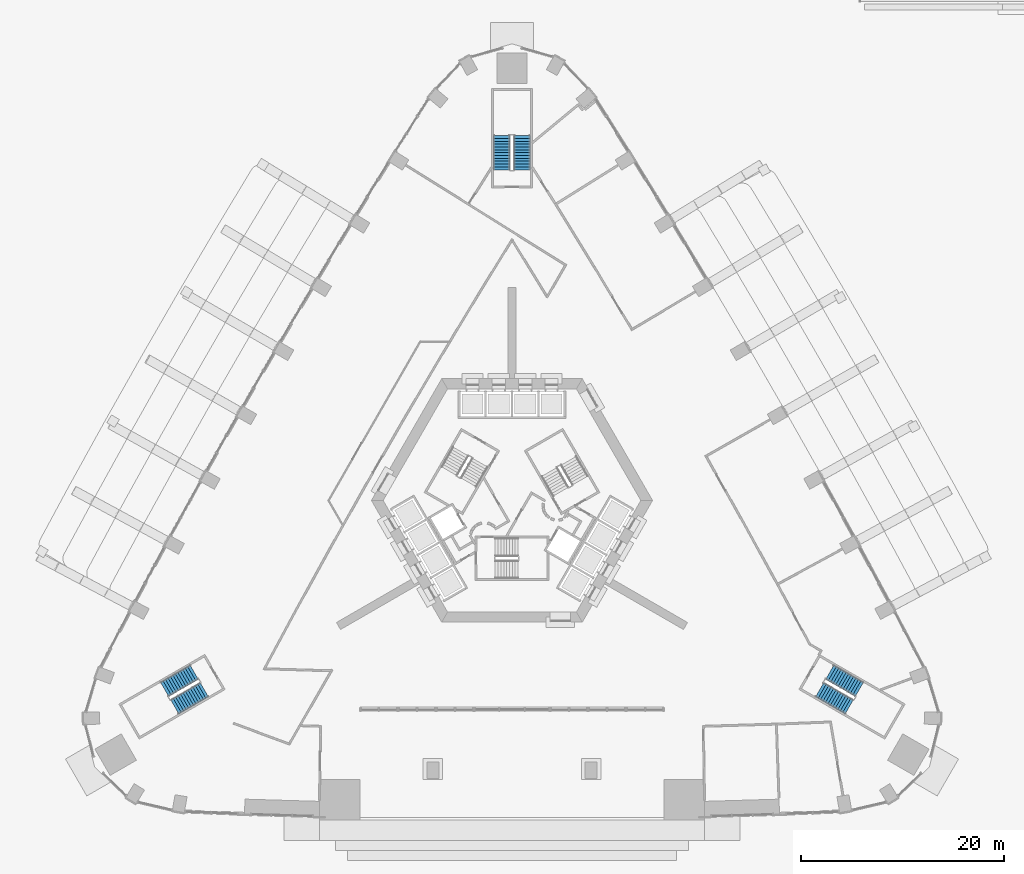
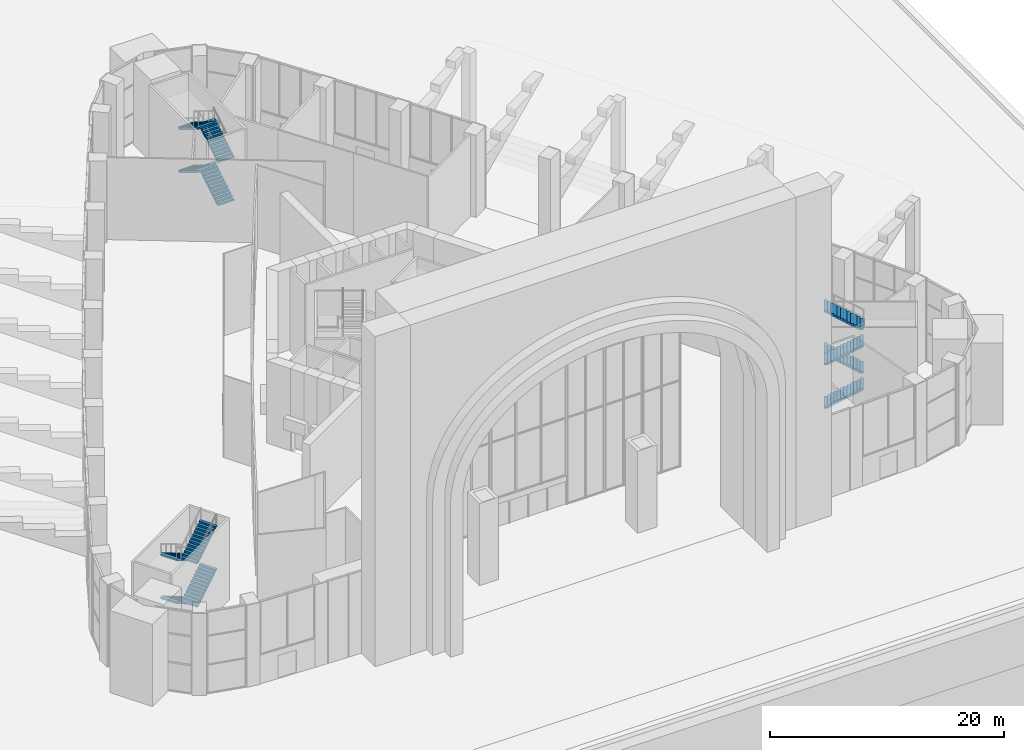
# One storey, part 21 of 36: 12 stair flights, 3 elements without a shape of their own.
"""IFC4 building model written with IfcOpenShell, lengths in metres."""

from ifc_helpers import new_model, si_unit, direction, frame, origin, place, context, subcontext, project, spatial, polyline, outline, extrude, material, type_object, element, aggregate, save


model = new_model("IFC4")

# Units and contexts
model_context = context("Model", 3, precision=1e-05, world=origin(), true_north=direction((0.0, 1.0)))
body_context = subcontext(model_context, "Body", "Model", "MODEL_VIEW")
ifc_project = project(units=[si_unit("LENGTHUNIT", "METRE"), si_unit("AREAUNIT", "SQUARE_METRE"), si_unit("VOLUMEUNIT", "CUBIC_METRE"), si_unit("PLANEANGLEUNIT", "RADIAN"), si_unit("MASSUNIT", "GRAM", prefix="KILO")], contexts=[model_context])

# Site, building, storey
site_placement = place(None, origin())
site = spatial("IfcSite", under=ifc_project, at=site_placement, CompositionType="ELEMENT")
building_placement = place(site_placement, origin())
building = spatial("IfcBuilding", under=site, at=building_placement, Name="Entoto Arch Interchange Tower", CompositionType="ELEMENT")
storey_placement = place(building_placement, origin())
storey = spatial("IfcBuildingStorey", under=building, at=storey_placement, Name="L00", CompositionType="ELEMENT", Elevation=0.0)

# Stair, stair flights
ifc_material = material(Name="Concrete C40/50", Category="concrete")
stair_type = type_object("IfcStairType", Name="PODIUM EXIT STAIR RC 1600", PredefinedType="HALF_TURN_STAIR", material=ifc_material)
stair_1_placement = place(storey_placement, origin())
stair_1 = element("IfcStair", 1, at=stair_1_placement, inside=storey, type_object=stair_type, Name="L00 Podium exit stair north", PredefinedType="HALF_TURN_STAIR")
stair_flight_type = type_object("IfcStairFlightType", Name="PODIUM EXIT STAIR FLIGHT RC", PredefinedType="STRAIGHT", material=ifc_material)
stair_flight_1_placement = place(storey_placement, frame((1.0, 35.10009765625, 0.0), z_axis=(0.0, 0.0, 1.0), x_axis=(0.0, 1.0, 0.0)))
stair_flight_1 = element("IfcStairFlight", 2, at=stair_flight_1_placement, type_object=stair_flight_type, Name="PST-N flight 1", NumberOfRisers=13, NumberOfTreads=12, PredefinedType="STRAIGHT", RiserHeight=0.173076923, TreadLength=0.28, context=body_context, shape_type="SweptSolid", body=[
    extrude(outline(polyline([(-0.0029296875, 0.0), (-0.0029296875, 0.173095703125), (0.280029296875, 0.173095703125), (0.280029296875, 0.34619140625), (0.56005859375, 0.34619140625), (0.56005859375, 0.519287109375), (0.840087890625, 0.519287109375), (0.840087890625, 0.6923828125), (1.1201171875, 0.6923828125), (1.1201171875, 0.865478515625), (1.39990234375, 0.865478515625), (1.39990234375, 1.03857421875), (1.679931640625, 1.03857421875), (1.679931640625, 1.21142578125), (1.9599609375, 1.21142578125), (1.9599609375, 1.384521484375), (2.239990234375, 1.384521484375), (2.239990234375, 1.5576171875), (2.52001953125, 1.5576171875), (2.52001953125, 1.730712890625), (2.800048828125, 1.730712890625), (2.800048828125, 1.90380859375), (3.080078125, 1.90380859375), (3.080078125, 2.076904296875), (3.360107421875, 2.076904296875), (3.363037109375, 2.076904296875), (3.363037109375, 1.902587890625), (0.28515625, 0.0), (-0.0029296875, 0.0)])), frame((0.0, 0.800048828125, 0.0), z_axis=(0.0, -1.0, 0.0), x_axis=(1.0, 0.0, 0.0)), (0.0, 0.0, 1.0), 1.60009765625),
])
stair_flight_2_placement = place(storey_placement, frame((-1.0, 38.4599609375, 2.25), z_axis=(0.0, 0.0, 1.0), x_axis=(0.0, -1.0, 0.0)))
stair_flight_2 = element("IfcStairFlight", 3, at=stair_flight_2_placement, type_object=stair_flight_type, Name="PST-N flight 2", NumberOfRisers=13, NumberOfTreads=12, PredefinedType="STRAIGHT", RiserHeight=0.173076923, TreadLength=0.28, context=body_context, shape_type="SweptSolid", body=[
    extrude(outline(polyline([(-0.0029296875, 0.0), (-0.0029296875, 0.173095703125), (0.280029296875, 0.173095703125), (0.280029296875, 0.34619140625), (0.56005859375, 0.34619140625), (0.56005859375, 0.519287109375), (0.840087890625, 0.519287109375), (0.840087890625, 0.6923828125), (1.1201171875, 0.6923828125), (1.1201171875, 0.865478515625), (1.39990234375, 0.865478515625), (1.39990234375, 1.03857421875), (1.679931640625, 1.03857421875), (1.679931640625, 1.21142578125), (1.9599609375, 1.21142578125), (1.9599609375, 1.384521484375), (2.239990234375, 1.384521484375), (2.239990234375, 1.5576171875), (2.52001953125, 1.5576171875), (2.52001953125, 1.730712890625), (2.800048828125, 1.730712890625), (2.800048828125, 1.90380859375), (3.080078125, 1.90380859375), (3.080078125, 2.076904296875), (3.360107421875, 2.076904296875), (3.363037109375, 2.076904296875), (3.363037109375, 1.902587890625), (0.28515625, 0.0), (-0.0029296875, 0.0)])), frame((0.0, 0.800048828125, 0.0), z_axis=(0.0, -1.0, 0.0), x_axis=(1.0, 0.0, 0.0)), (0.0, 0.0, 1.0), 1.60009765625),
])
stair_flight_3_placement = place(storey_placement, frame((1.0, 35.10009765625, 4.5), z_axis=(0.0, 0.0, 1.0), x_axis=(0.0, 1.0, 0.0)))
stair_flight_3 = element("IfcStairFlight", 4, at=stair_flight_3_placement, type_object=stair_flight_type, Name="PST-N flight 3", NumberOfRisers=13, NumberOfTreads=12, PredefinedType="STRAIGHT", RiserHeight=0.173076923, TreadLength=0.28, context=body_context, shape_type="SweptSolid", body=[
    extrude(outline(polyline([(-0.0029296875, 0.0), (-0.0029296875, 0.173095703125), (0.280029296875, 0.173095703125), (0.280029296875, 0.34619140625), (0.56005859375, 0.34619140625), (0.56005859375, 0.519287109375), (0.840087890625, 0.519287109375), (0.840087890625, 0.6923828125), (1.1201171875, 0.6923828125), (1.1201171875, 0.865478515625), (1.39990234375, 0.865478515625), (1.39990234375, 1.03857421875), (1.679931640625, 1.03857421875), (1.679931640625, 1.21142578125), (1.9599609375, 1.21142578125), (1.9599609375, 1.384521484375), (2.239990234375, 1.384521484375), (2.239990234375, 1.5576171875), (2.52001953125, 1.5576171875), (2.52001953125, 1.730712890625), (2.800048828125, 1.730712890625), (2.800048828125, 1.90380859375), (3.080078125, 1.90380859375), (3.080078125, 2.076904296875), (3.360107421875, 2.076904296875), (3.363037109375, 2.076904296875), (3.363037109375, 1.902587890625), (0.28515625, 0.0), (-0.0029296875, 0.0)])), frame((0.0, 0.800048828125, 0.0), z_axis=(0.0, -1.0, 0.0), x_axis=(1.0, 0.0, 0.0)), (0.0, 0.0, 1.0), 1.60009765625),
])
stair_flight_4_placement = place(storey_placement, frame((-1.0, 38.4599609375, 6.75), z_axis=(0.0, 0.0, 1.0), x_axis=(0.0, -1.0, 0.0)))
stair_flight_4 = element("IfcStairFlight", 5, at=stair_flight_4_placement, type_object=stair_flight_type, Name="PST-N flight 4", NumberOfRisers=13, NumberOfTreads=12, PredefinedType="STRAIGHT", RiserHeight=0.173076923, TreadLength=0.28, context=body_context, shape_type="SweptSolid", body=[
    extrude(outline(polyline([(-0.0029296875, 0.0), (-0.0029296875, 0.173095703125), (0.280029296875, 0.173095703125), (0.280029296875, 0.34619140625), (0.56005859375, 0.34619140625), (0.56005859375, 0.519287109375), (0.840087890625, 0.519287109375), (0.840087890625, 0.6923828125), (1.1201171875, 0.6923828125), (1.1201171875, 0.865478515625), (1.39990234375, 0.865478515625), (1.39990234375, 1.03857421875), (1.679931640625, 1.03857421875), (1.679931640625, 1.21142578125), (1.9599609375, 1.21142578125), (1.9599609375, 1.384521484375), (2.239990234375, 1.384521484375), (2.239990234375, 1.5576171875), (2.52001953125, 1.5576171875), (2.52001953125, 1.730712890625), (2.800048828125, 1.730712890625), (2.800048828125, 1.90380859375), (3.080078125, 1.90380859375), (3.080078125, 2.076904296875), (3.360107421875, 2.076904296875), (3.363037109375, 2.076904296875), (3.363037109375, 1.902587890625), (0.28515625, 0.0), (-0.0029296875, 0.0)])), frame((0.0, 0.800048828125, 0.0), z_axis=(0.0, -1.0, 0.0), x_axis=(1.0, 0.0, 0.0)), (0.0, 0.0, 1.0), 1.60009765625),
])
aggregate(stair_1, [stair_flight_1, stair_flight_2, stair_flight_3, stair_flight_4])

stair_2_placement = place(storey_placement, origin())
stair_2 = element("IfcStair", 6, at=stair_2_placement, inside=storey, type_object=stair_type, Name="L00 Podium exit stair south-west", PredefinedType="HALF_TURN_STAIR")
stair_flight_5_placement = place(storey_placement, frame((-31.33056640625, -14.43408203125, 0.0), z_axis=(0.0, 0.0, 1.0), x_axis=(-0.866025403784, -0.5, 0.0)))
stair_flight_5 = element("IfcStairFlight", 7, at=stair_flight_5_placement, type_object=stair_flight_type, Name="PST-SW flight 1", NumberOfRisers=13, NumberOfTreads=12, PredefinedType="STRAIGHT", RiserHeight=0.173076923, TreadLength=0.28, context=body_context, shape_type="SweptSolid", body=[
    extrude(outline(polyline([(-0.0029296875, 0.0), (-0.0029296875, 0.173095703125), (0.280029296875, 0.173095703125), (0.280029296875, 0.34619140625), (0.56005859375, 0.34619140625), (0.56005859375, 0.519287109375), (0.840087890625, 0.519287109375), (0.840087890625, 0.6923828125), (1.1201171875, 0.6923828125), (1.1201171875, 0.865478515625), (1.39990234375, 0.865478515625), (1.39990234375, 1.03857421875), (1.679931640625, 1.03857421875), (1.679931640625, 1.21142578125), (1.9599609375, 1.21142578125), (1.9599609375, 1.384521484375), (2.239990234375, 1.384521484375), (2.239990234375, 1.5576171875), (2.52001953125, 1.5576171875), (2.52001953125, 1.730712890625), (2.800048828125, 1.730712890625), (2.800048828125, 1.90380859375), (3.080078125, 1.90380859375), (3.080078125, 2.076904296875), (3.360107421875, 2.076904296875), (3.363037109375, 2.076904296875), (3.363037109375, 1.902587890625), (0.28515625, 0.0), (-0.0029296875, 0.0)])), frame((0.0, 0.800048828125, 0.0), z_axis=(0.0, -1.0, 0.0), x_axis=(1.0, 0.0, 0.0)), (0.0, 0.0, 1.0), 1.60009765625),
])
stair_flight_6_placement = place(storey_placement, frame((-33.240478515625, -17.84619140625, 2.25), z_axis=(0.0, 0.0, 1.0), x_axis=(0.866025403784, 0.5, 0.0)))
stair_flight_6 = element("IfcStairFlight", 8, at=stair_flight_6_placement, type_object=stair_flight_type, Name="PST-SW flight 2", NumberOfRisers=13, NumberOfTreads=12, PredefinedType="STRAIGHT", RiserHeight=0.173076923, TreadLength=0.28, context=body_context, shape_type="SweptSolid", body=[
    extrude(outline(polyline([(-0.0029296875, 0.0), (-0.0029296875, 0.173095703125), (0.280029296875, 0.173095703125), (0.280029296875, 0.34619140625), (0.56005859375, 0.34619140625), (0.56005859375, 0.519287109375), (0.840087890625, 0.519287109375), (0.840087890625, 0.6923828125), (1.1201171875, 0.6923828125), (1.1201171875, 0.865478515625), (1.39990234375, 0.865478515625), (1.39990234375, 1.03857421875), (1.679931640625, 1.03857421875), (1.679931640625, 1.21142578125), (1.9599609375, 1.21142578125), (1.9599609375, 1.384521484375), (2.239990234375, 1.384521484375), (2.239990234375, 1.5576171875), (2.52001953125, 1.5576171875), (2.52001953125, 1.730712890625), (2.800048828125, 1.730712890625), (2.800048828125, 1.90380859375), (3.080078125, 1.90380859375), (3.080078125, 2.076904296875), (3.360107421875, 2.076904296875), (3.363037109375, 2.076904296875), (3.363037109375, 1.902587890625), (0.28515625, 0.0), (-0.0029296875, 0.0)])), frame((0.0, 0.800048828125, 0.0), z_axis=(0.0, -1.0, 0.0), x_axis=(1.0, 0.0, 0.0)), (0.0, 0.0, 1.0), 1.60009765625),
])
stair_flight_7_placement = place(storey_placement, frame((-31.33056640625, -14.43408203125, 4.5), z_axis=(0.0, 0.0, 1.0), x_axis=(-0.866025403784, -0.5, 0.0)))
stair_flight_7 = element("IfcStairFlight", 9, at=stair_flight_7_placement, type_object=stair_flight_type, Name="PST-SW flight 3", NumberOfRisers=13, NumberOfTreads=12, PredefinedType="STRAIGHT", RiserHeight=0.173076923, TreadLength=0.28, context=body_context, shape_type="SweptSolid", body=[
    extrude(outline(polyline([(-0.0029296875, 0.0), (-0.0029296875, 0.173095703125), (0.280029296875, 0.173095703125), (0.280029296875, 0.34619140625), (0.56005859375, 0.34619140625), (0.56005859375, 0.519287109375), (0.840087890625, 0.519287109375), (0.840087890625, 0.6923828125), (1.1201171875, 0.6923828125), (1.1201171875, 0.865478515625), (1.39990234375, 0.865478515625), (1.39990234375, 1.03857421875), (1.679931640625, 1.03857421875), (1.679931640625, 1.21142578125), (1.9599609375, 1.21142578125), (1.9599609375, 1.384521484375), (2.239990234375, 1.384521484375), (2.239990234375, 1.5576171875), (2.52001953125, 1.5576171875), (2.52001953125, 1.730712890625), (2.800048828125, 1.730712890625), (2.800048828125, 1.90380859375), (3.080078125, 1.90380859375), (3.080078125, 2.076904296875), (3.360107421875, 2.076904296875), (3.363037109375, 2.076904296875), (3.363037109375, 1.902587890625), (0.28515625, 0.0), (-0.0029296875, 0.0)])), frame((0.0, 0.800048828125, 0.0), z_axis=(0.0, -1.0, 0.0), x_axis=(1.0, 0.0, 0.0)), (0.0, 0.0, 1.0), 1.60009765625),
])
stair_flight_8_placement = place(storey_placement, frame((-33.240478515625, -17.84619140625, 6.75), z_axis=(0.0, 0.0, 1.0), x_axis=(0.866025403784, 0.5, 0.0)))
stair_flight_8 = element("IfcStairFlight", 10, at=stair_flight_8_placement, type_object=stair_flight_type, Name="PST-SW flight 4", NumberOfRisers=13, NumberOfTreads=12, PredefinedType="STRAIGHT", RiserHeight=0.173076923, TreadLength=0.28, context=body_context, shape_type="SweptSolid", body=[
    extrude(outline(polyline([(-0.0029296875, 0.0), (-0.0029296875, 0.173095703125), (0.280029296875, 0.173095703125), (0.280029296875, 0.34619140625), (0.56005859375, 0.34619140625), (0.56005859375, 0.519287109375), (0.840087890625, 0.519287109375), (0.840087890625, 0.6923828125), (1.1201171875, 0.6923828125), (1.1201171875, 0.865478515625), (1.39990234375, 0.865478515625), (1.39990234375, 1.03857421875), (1.679931640625, 1.03857421875), (1.679931640625, 1.21142578125), (1.9599609375, 1.21142578125), (1.9599609375, 1.384521484375), (2.239990234375, 1.384521484375), (2.239990234375, 1.5576171875), (2.52001953125, 1.5576171875), (2.52001953125, 1.730712890625), (2.800048828125, 1.730712890625), (2.800048828125, 1.90380859375), (3.080078125, 1.90380859375), (3.080078125, 2.076904296875), (3.360107421875, 2.076904296875), (3.363037109375, 2.076904296875), (3.363037109375, 1.902587890625), (0.28515625, 0.0), (-0.0029296875, 0.0)])), frame((0.0, 0.800048828125, 0.0), z_axis=(0.0, -1.0, 0.0), x_axis=(1.0, 0.0, 0.0)), (0.0, 0.0, 1.0), 1.60009765625),
])
aggregate(stair_2, [stair_flight_5, stair_flight_6, stair_flight_7, stair_flight_8])

stair_3_placement = place(storey_placement, origin())
stair_3 = element("IfcStair", 11, at=stair_3_placement, inside=storey, type_object=stair_type, Name="L00 Podium exit stair south-east", PredefinedType="HALF_TURN_STAIR")
stair_flight_9_placement = place(storey_placement, frame((30.33056640625, -16.166015625, 0.0), z_axis=(0.0, 0.0, 1.0), x_axis=(0.866025403784, -0.5, 0.0)))
stair_flight_9 = element("IfcStairFlight", 12, at=stair_flight_9_placement, type_object=stair_flight_type, Name="PST-SE flight 1", NumberOfRisers=13, NumberOfTreads=12, PredefinedType="STRAIGHT", RiserHeight=0.173076923, TreadLength=0.28, context=body_context, shape_type="SweptSolid", body=[
    extrude(outline(polyline([(-0.0029296875, 0.0), (-0.0029296875, 0.173095703125), (0.280029296875, 0.173095703125), (0.280029296875, 0.34619140625), (0.56005859375, 0.34619140625), (0.56005859375, 0.519287109375), (0.840087890625, 0.519287109375), (0.840087890625, 0.6923828125), (1.1201171875, 0.6923828125), (1.1201171875, 0.865478515625), (1.39990234375, 0.865478515625), (1.39990234375, 1.03857421875), (1.679931640625, 1.03857421875), (1.679931640625, 1.21142578125), (1.9599609375, 1.21142578125), (1.9599609375, 1.384521484375), (2.239990234375, 1.384521484375), (2.239990234375, 1.5576171875), (2.52001953125, 1.5576171875), (2.52001953125, 1.730712890625), (2.800048828125, 1.730712890625), (2.800048828125, 1.90380859375), (3.080078125, 1.90380859375), (3.080078125, 2.076904296875), (3.360107421875, 2.076904296875), (3.363037109375, 2.076904296875), (3.363037109375, 1.902587890625), (0.28515625, 0.0), (-0.0029296875, 0.0)])), frame((0.0, 0.800048828125, 0.0), z_axis=(0.0, -1.0, 0.0), x_axis=(1.0, 0.0, 0.0)), (0.0, 0.0, 1.0), 1.60009765625),
])
stair_flight_10_placement = place(storey_placement, frame((34.240478515625, -16.114013671875, 2.25), z_axis=(0.0, 0.0, 1.0), x_axis=(-0.866025403784, 0.5, 0.0)))
stair_flight_10 = element("IfcStairFlight", 13, at=stair_flight_10_placement, type_object=stair_flight_type, Name="PST-SE flight 2", NumberOfRisers=13, NumberOfTreads=12, PredefinedType="STRAIGHT", RiserHeight=0.173076923, TreadLength=0.28, context=body_context, shape_type="SweptSolid", body=[
    extrude(outline(polyline([(-0.0029296875, 0.0), (-0.0029296875, 0.173095703125), (0.280029296875, 0.173095703125), (0.280029296875, 0.34619140625), (0.56005859375, 0.34619140625), (0.56005859375, 0.519287109375), (0.840087890625, 0.519287109375), (0.840087890625, 0.6923828125), (1.1201171875, 0.6923828125), (1.1201171875, 0.865478515625), (1.39990234375, 0.865478515625), (1.39990234375, 1.03857421875), (1.679931640625, 1.03857421875), (1.679931640625, 1.21142578125), (1.9599609375, 1.21142578125), (1.9599609375, 1.384521484375), (2.239990234375, 1.384521484375), (2.239990234375, 1.5576171875), (2.52001953125, 1.5576171875), (2.52001953125, 1.730712890625), (2.800048828125, 1.730712890625), (2.800048828125, 1.90380859375), (3.080078125, 1.90380859375), (3.080078125, 2.076904296875), (3.360107421875, 2.076904296875), (3.363037109375, 2.076904296875), (3.363037109375, 1.902587890625), (0.28515625, 0.0), (-0.0029296875, 0.0)])), frame((0.0, 0.800048828125, 0.0), z_axis=(0.0, -1.0, 0.0), x_axis=(1.0, 0.0, 0.0)), (0.0, 0.0, 1.0), 1.60009765625),
])
stair_flight_11_placement = place(storey_placement, frame((30.33056640625, -16.166015625, 4.5), z_axis=(0.0, 0.0, 1.0), x_axis=(0.866025403784, -0.5, 0.0)))
stair_flight_11 = element("IfcStairFlight", 14, at=stair_flight_11_placement, type_object=stair_flight_type, Name="PST-SE flight 3", NumberOfRisers=13, NumberOfTreads=12, PredefinedType="STRAIGHT", RiserHeight=0.173076923, TreadLength=0.28, context=body_context, shape_type="SweptSolid", body=[
    extrude(outline(polyline([(-0.0029296875, 0.0), (-0.0029296875, 0.173095703125), (0.280029296875, 0.173095703125), (0.280029296875, 0.34619140625), (0.56005859375, 0.34619140625), (0.56005859375, 0.519287109375), (0.840087890625, 0.519287109375), (0.840087890625, 0.6923828125), (1.1201171875, 0.6923828125), (1.1201171875, 0.865478515625), (1.39990234375, 0.865478515625), (1.39990234375, 1.03857421875), (1.679931640625, 1.03857421875), (1.679931640625, 1.21142578125), (1.9599609375, 1.21142578125), (1.9599609375, 1.384521484375), (2.239990234375, 1.384521484375), (2.239990234375, 1.5576171875), (2.52001953125, 1.5576171875), (2.52001953125, 1.730712890625), (2.800048828125, 1.730712890625), (2.800048828125, 1.90380859375), (3.080078125, 1.90380859375), (3.080078125, 2.076904296875), (3.360107421875, 2.076904296875), (3.363037109375, 2.076904296875), (3.363037109375, 1.902587890625), (0.28515625, 0.0), (-0.0029296875, 0.0)])), frame((0.0, 0.800048828125, 0.0), z_axis=(0.0, -1.0, 0.0), x_axis=(1.0, 0.0, 0.0)), (0.0, 0.0, 1.0), 1.60009765625),
])
stair_flight_12_placement = place(storey_placement, frame((34.240478515625, -16.114013671875, 6.75), z_axis=(0.0, 0.0, 1.0), x_axis=(-0.866025403784, 0.5, 0.0)))
stair_flight_12 = element("IfcStairFlight", 15, at=stair_flight_12_placement, type_object=stair_flight_type, Name="PST-SE flight 4", NumberOfRisers=13, NumberOfTreads=12, PredefinedType="STRAIGHT", RiserHeight=0.173076923, TreadLength=0.28, context=body_context, shape_type="SweptSolid", body=[
    extrude(outline(polyline([(-0.0029296875, 0.0), (-0.0029296875, 0.173095703125), (0.280029296875, 0.173095703125), (0.280029296875, 0.34619140625), (0.56005859375, 0.34619140625), (0.56005859375, 0.519287109375), (0.840087890625, 0.519287109375), (0.840087890625, 0.6923828125), (1.1201171875, 0.6923828125), (1.1201171875, 0.865478515625), (1.39990234375, 0.865478515625), (1.39990234375, 1.03857421875), (1.679931640625, 1.03857421875), (1.679931640625, 1.21142578125), (1.9599609375, 1.21142578125), (1.9599609375, 1.384521484375), (2.239990234375, 1.384521484375), (2.239990234375, 1.5576171875), (2.52001953125, 1.5576171875), (2.52001953125, 1.730712890625), (2.800048828125, 1.730712890625), (2.800048828125, 1.90380859375), (3.080078125, 1.90380859375), (3.080078125, 2.076904296875), (3.360107421875, 2.076904296875), (3.363037109375, 2.076904296875), (3.363037109375, 1.902587890625), (0.28515625, 0.0), (-0.0029296875, 0.0)])), frame((0.0, 0.800048828125, 0.0), z_axis=(0.0, -1.0, 0.0), x_axis=(1.0, 0.0, 0.0)), (0.0, 0.0, 1.0), 1.60009765625),
])
aggregate(stair_3, [stair_flight_9, stair_flight_10, stair_flight_11, stair_flight_12])

save(model, "model.ifc")
